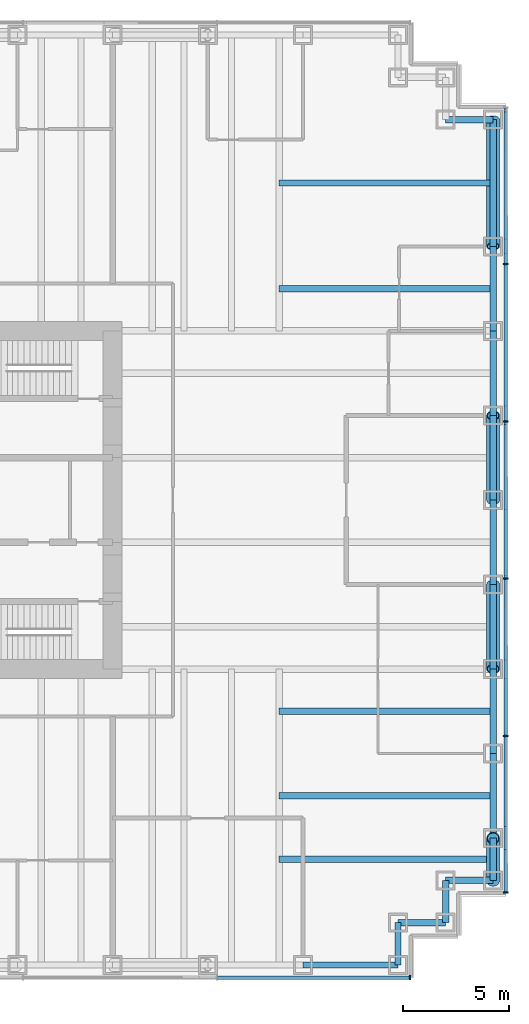
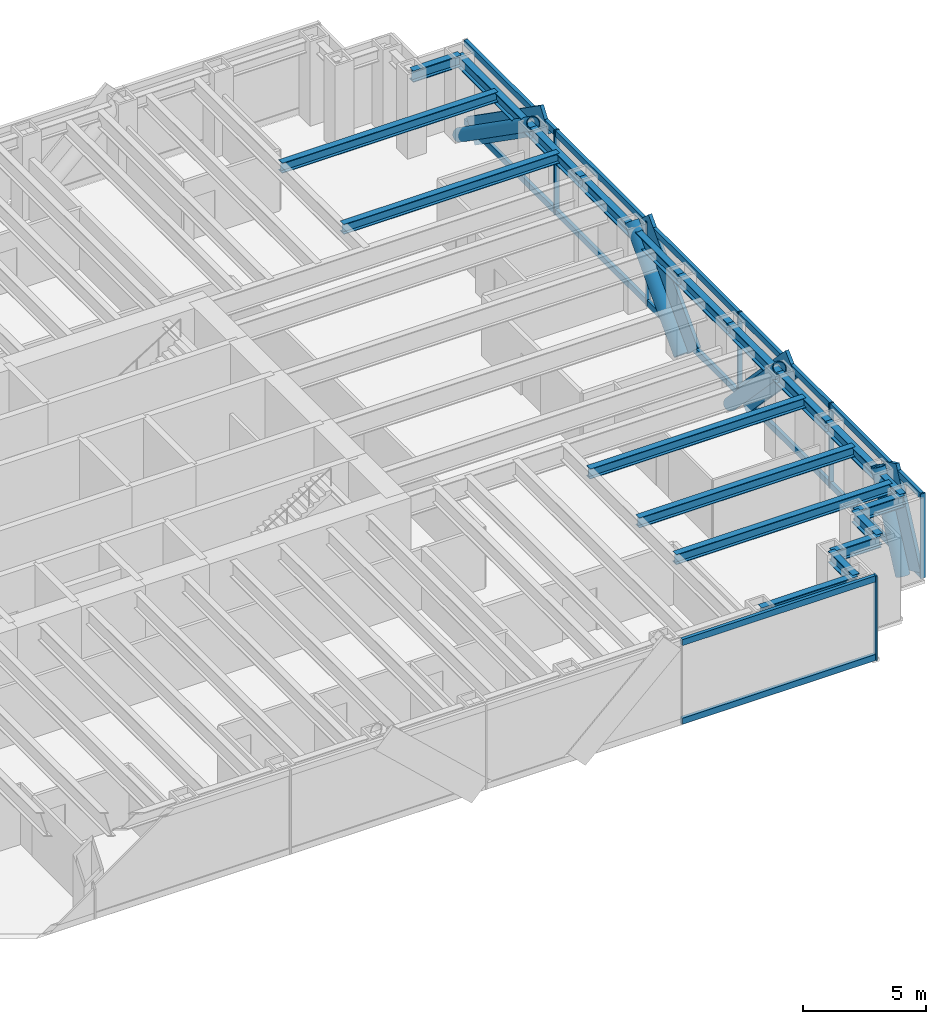
# One storey, part 8 of 15: 26 members, 20 beams, 2 elements without a shape of their own.
"""IFC4 building model written with IfcOpenShell, lengths in metres."""

import ifcopenshell
import ifcopenshell.guid

model = None  # the IFC model being written
_history = None  # IfcOwnerHistory: only IFC2X3 demands one
_inside = {}  # id of a spatial element -> (the spatial element, [elements in it])
_under = {}  # id of a project, library or spatial element -> (it, [spatial elements below it])
_declared = {}  # id of a project -> (the project, [libraries it declares])
_typed = {}  # id of a type object -> (the type object, [elements of that type])
_made_of = {}  # id of a material, layer set ... -> (it, [elements and type objects made of it])


def new_model(schema):
    """Start an empty IFC model of exactly this schema.

    Asked for "IFC4X3", IfcOpenShell would pick the latest addendum, in which some entities
    have other attributes; the version numbers below select the first issue.
    IFC2X3 requires an IfcOwnerHistory on every rooted entity: one is made here for all.
    """
    global model, _history
    if schema == "IFC4X3":
        model = ifcopenshell.file(schema_version=(4, 3, 0, 0))
    else:
        model = ifcopenshell.file(schema=schema)
    _inside.clear()
    _under.clear()
    _declared.clear()
    _typed.clear()
    _made_of.clear()
    _history = None
    if model.schema == "IFC2X3":
        org = make("IfcOrganization", Name="unknown")
        user = make(
            "IfcPersonAndOrganization",
            ThePerson=make("IfcPerson", FamilyName="unknown"),
            TheOrganization=org,
        )
        app = make(
            "IfcApplication",
            ApplicationDeveloper=org,
            Version="unknown",
            ApplicationFullName="unknown",
            ApplicationIdentifier="unknown",
        )
        _history = make(
            "IfcOwnerHistory",
            OwningUser=user,
            OwningApplication=app,
            ChangeAction="ADDED",
            CreationDate=0,
        )
    return model


def make(cls, **values):
    """One entity of the class cls with the attributes given. An attribute that is None is left unset."""
    return model.create_entity(
        cls, **{name: value for name, value in values.items() if value is not None}
    )


def rooted(cls, **values):
    """An entity with a GlobalId (a new one), such as an element, a storey or a relation."""
    return make(cls, GlobalId=ifcopenshell.guid.new(), OwnerHistory=_history, **values)


def si_unit(unit_type, name, prefix=None):
    """IfcSIUnit, for example si_unit("LENGTHUNIT", "METRE", prefix="MILLI")."""
    return make("IfcSIUnit", UnitType=unit_type, Prefix=prefix, Name=name)


def assignment(units):
    """IfcUnitAssignment: the units of a project."""
    return None if units is None else make("IfcUnitAssignment", Units=units)


def point(xyz):
    """IfcCartesianPoint."""
    return None if xyz is None else make("IfcCartesianPoint", Coordinates=xyz)


def direction(xyz):
    """IfcDirection."""
    return None if xyz is None else make("IfcDirection", DirectionRatios=xyz)


def frame(location, z_axis=None, x_axis=None):
    """IfcAxis2Placement3D, a coordinate frame: its origin and axes. An axis left out is left unset."""
    return make(
        "IfcAxis2Placement3D",
        Location=point(location),
        Axis=direction(z_axis),
        RefDirection=direction(x_axis),
    )


def frame_2d(location, x_axis=None):
    """IfcAxis2Placement2D, a coordinate frame in the plane: its origin and x axis."""
    return make(
        "IfcAxis2Placement2D", Location=point(location), RefDirection=direction(x_axis)
    )


def origin():
    """The frame at (0, 0, 0) with its axes left unset."""
    return frame((0.0, 0.0, 0.0))


def origin_2d():
    """The frame at (0, 0) in the plane with its x axis left unset."""
    return frame_2d((0.0, 0.0))


def place(relative_to, where):
    """IfcLocalPlacement: puts the frame where relative to a parent placement (None: the world)."""
    return make(
        "IfcLocalPlacement", PlacementRelTo=relative_to, RelativePlacement=where
    )


def context(
    kind, dimensions, precision=None, world=None, true_north=None, identifier=None
):
    """IfcGeometricRepresentationContext, for example the 3D "Model" context."""
    return make(
        "IfcGeometricRepresentationContext",
        ContextIdentifier=identifier,
        ContextType=kind,
        CoordinateSpaceDimension=dimensions,
        Precision=precision,
        WorldCoordinateSystem=world,
        TrueNorth=true_north,
    )


def subcontext(parent, identifier, kind, view, scale=None):
    """IfcGeometricRepresentationSubContext, for example "Body" below "Model"."""
    return make(
        "IfcGeometricRepresentationSubContext",
        ContextIdentifier=identifier,
        ContextType=kind,
        ParentContext=parent,
        TargetScale=scale,
        TargetView=view,
    )


def project(units=None, contexts=None):
    """IfcProject with its units and contexts."""
    return rooted(
        "IfcProject",
        Name="project",
        RepresentationContexts=contexts,
        UnitsInContext=assignment(units),
    )


def spatial(cls, under=None, at=None, **own):
    """A site, building, storey or space (cls), placed at a placement, below another one or the project."""
    s = rooted(cls, ObjectPlacement=at, **own)
    if under is not None:
        _under.setdefault(under.id(), (under, []))[1].append(s)
    return s


def profile(cls, at=None, kind="AREA", **sizes):
    """A parametric profile (cls). Its sizes go by their IFC names, for example OverallWidth=200.0."""
    return make(cls, ProfileType=kind, Position=at, **sizes)


def rectangle(**sizes):
    """IfcRectangleProfileDef."""
    return profile("IfcRectangleProfileDef", **sizes)


def hollow_circle(**sizes):
    """IfcCircleHollowProfileDef."""
    return profile("IfcCircleHollowProfileDef", **sizes)


def i_section(**sizes):
    """IfcIShapeProfileDef."""
    return profile("IfcIShapeProfileDef", **sizes)


def extrude(swept, where, along, depth):
    """IfcExtrudedAreaSolid: the profile swept, set in the frame where, extruded along a direction by depth."""
    return make(
        "IfcExtrudedAreaSolid",
        SweptArea=swept,
        Position=where,
        ExtrudedDirection=direction(along),
        Depth=depth,
    )


def shape(context_of_items, identifier, shape_type, items):
    """IfcShapeRepresentation: the items that make up one representation, for example the "Body"."""
    return make(
        "IfcShapeRepresentation",
        ContextOfItems=context_of_items,
        RepresentationIdentifier=identifier,
        RepresentationType=shape_type,
        Items=items,
    )


def material(Name=None, Category=None):
    """IfcMaterial."""
    return make("IfcMaterial", Name=Name, Category=Category)


def material_profile(
    of_material, cross_section, Name=None, Category=None, Priority=None
):
    """IfcMaterialProfile: a cross section and its material."""
    return make(
        "IfcMaterialProfile",
        Name=Name,
        Material=of_material,
        Profile=cross_section,
        Priority=Priority,
        Category=Category,
    )


def profile_set(profiles, Name=None, composite=None):
    """IfcMaterialProfileSet."""
    return make(
        "IfcMaterialProfileSet",
        Name=Name,
        MaterialProfiles=profiles,
        CompositeProfile=composite,
    )


def made_of(thing, what):
    """Note that an element or type object is made of a material, layer set ...; save() writes the relation."""
    if what is not None:
        _made_of.setdefault(what.id(), (what, []))[1].append(thing)
    return thing


def type_object(cls, material=None, **own):
    """A type object (cls), such as IfcWallType, which elements share."""
    return made_of(rooted(cls, **own), material)


def element(
    cls,
    number,
    at=None,
    inside=None,
    cuts=None,
    type_object=None,
    material=None,
    context=None,
    identifier="Body",
    shape_type=None,
    held_by="IfcProductDefinitionShape",
    body=None,
    shapes=None,
    **own,
):
    """One element of the class cls, such as IfcWall. Its Tag is "e" and its number.

    at: its placement. inside: the storey or other place that contains it. cuts: it is an
    opening in that element (IfcRelVoidsElement). A single representation is given by context,
    identifier, shape_type and body (its items); several are given by shapes. held_by: the class
    of the entity that holds the representations. save() writes the other relations.
    """
    e = rooted(cls, Tag="e%d" % number, ObjectPlacement=at, **own)
    if body is not None:
        shapes = [shape(context, identifier, shape_type, body)]
    if shapes is not None:
        e.Representation = make(held_by, Representations=shapes)
    if inside is not None:
        _inside.setdefault(inside.id(), (inside, []))[1].append(e)
    if cuts is not None:
        rooted(
            "IfcRelVoidsElement", RelatingBuildingElement=cuts, RelatedOpeningElement=e
        )
    if type_object is not None:
        _typed.setdefault(type_object.id(), (type_object, []))[1].append(e)
    return made_of(e, material)


def aggregate(whole, parts):
    """IfcRelAggregates: a whole, such as a stair, and the parts it consists of."""
    return rooted("IfcRelAggregates", RelatingObject=whole, RelatedObjects=parts)


def save(model, path):
    """Write the relations noted so far, then the file.

    IfcRelAggregates (storeys below a building ...), IfcRelContainedInSpatialStructure (elements
    in a storey), IfcRelDefinesByType, IfcRelAssociatesMaterial and IfcRelDeclares: one each for
    every whole, place, type object, material and project.
    """
    for whole, parts in _under.values():
        aggregate(whole, parts)
    for where, things in _inside.values():
        rooted(
            "IfcRelContainedInSpatialStructure",
            RelatedElements=things,
            RelatingStructure=where,
        )
    for kind, things in _typed.values():
        rooted("IfcRelDefinesByType", RelatedObjects=things, RelatingType=kind)
    for what, things in _made_of.values():
        rooted("IfcRelAssociatesMaterial", RelatedObjects=things, RelatingMaterial=what)
    for by, libraries in _declared.values():
        rooted("IfcRelDeclares", RelatingContext=by, RelatedDefinitions=libraries)
    model.write(path)


model = new_model("IFC4")

# Units and contexts
model_context = context("Model", 3, precision=1e-05, world=origin(), true_north=direction((0.0, 1.0)))
body_context = subcontext(model_context, "Body", "Model", "MODEL_VIEW")
ifc_project = project(units=[si_unit("LENGTHUNIT", "METRE"), si_unit("AREAUNIT", "SQUARE_METRE"), si_unit("VOLUMEUNIT", "CUBIC_METRE"), si_unit("PLANEANGLEUNIT", "RADIAN"), si_unit("MASSUNIT", "GRAM", prefix="KILO")], contexts=[model_context])

# Site, building, storey
site_placement = place(None, origin())
site = spatial("IfcSite", under=ifc_project, at=site_placement, CompositionType="ELEMENT")
building_placement = place(site_placement, origin())
building = spatial("IfcBuilding", under=site, at=building_placement, Name="Rheinbord Bourse Tower", CompositionType="ELEMENT")
storey_placement = place(building_placement, frame((0.0, 0.0, 142.5)))
storey = spatial("IfcBuildingStorey", under=building, at=storey_placement, Name="L31", CompositionType="ELEMENT", Elevation=142.5)

# Curtain wall, members
ifc_material_1 = material(Name="Dark glass and black aluminium", Category="aluminium")
curtain_wall_type = type_object("IfcCurtainWallType", Name="CW2 DARK GLASS CURTAIN WALL", PredefinedType="USERDEFINED", material=ifc_material_1)
curtain_wall_1_placement = place(storey_placement, origin())
curtain_wall_1 = element("IfcCurtainWall", 1, at=curtain_wall_1_placement, inside=storey, type_object=curtain_wall_type, Name="Curtain wall CW2 E L31", ObjectType="UNITISED CURTAIN WALL", PredefinedType="USERDEFINED")
ifc_material_2 = material(Name="Black anodised aluminium", Category="aluminium")
ifc_material_profile_1 = material_profile(ifc_material_2, rectangle(XDim=0.159912109375, YDim=1.2099609375, at=origin_2d()), Name="CW2 DIAGONAL MULLION 1210x160")
ifc_profile_set_1 = profile_set([ifc_material_profile_1], Name="Black anodised aluminium")
member_type_1 = type_object("IfcMemberType", Name="CW2 BLACK DIAGONAL MULLION", PredefinedType="USERDEFINED", material=ifc_profile_set_1)
member_1_placement = place(storey_placement, frame((72.60009765625, 20.0, 0.0), z_axis=(0.0, -0.689659376744, 0.724133926887), x_axis=(1.0, 0.0, 0.0)))
member_1 = element("IfcMember", 2, at=member_1_placement, type_object=member_type_1, Name="CW2 diagonal mullion a", ObjectType="DIAGONAL MULLION", PredefinedType="USERDEFINED", context=body_context, shape_type="SweptSolid", body=[
    extrude(rectangle(XDim=0.159912109375, YDim=1.2099609375, at=origin_2d()), origin(), (0.0, 0.0, 1.0), 5.800048828125),
])
member_2_placement = place(storey_placement, frame((72.60009765625, 24.0, 0.0), z_axis=(0.0, 0.689659376744, 0.724133926887), x_axis=(-1.0, 0.0, 0.0)))
member_2 = element("IfcMember", 3, at=member_2_placement, type_object=member_type_1, Name="CW2 diagonal mullion b", ObjectType="DIAGONAL MULLION", PredefinedType="USERDEFINED", context=body_context, shape_type="SweptSolid", body=[
    extrude(rectangle(XDim=0.159912109375, YDim=1.2099609375, at=origin_2d()), origin(), (0.0, 0.0, 1.0), 5.800048828125),
])
member_3_placement = place(storey_placement, frame((72.60009765625, 6.0, 0.0), z_axis=(0.0, 0.429937654825, 0.902858578607), x_axis=(-1.0, 0.0, 0.0)))
member_3 = element("IfcMember", 4, at=member_3_placement, type_object=member_type_1, Name="CW2 diagonal mullion c", ObjectType="DIAGONAL MULLION", PredefinedType="USERDEFINED", context=body_context, shape_type="SweptSolid", body=[
    extrude(rectangle(XDim=0.159912109375, YDim=1.2099609375, at=origin_2d()), origin(), (0.0, 0.0, 1.0), 4.65185546875),
])
member_4_placement = place(storey_placement, frame((72.60009765625, 42.0, 0.0), z_axis=(0.0, -0.819235052632, 0.57345786989), x_axis=(1.0, 0.0, 0.0)))
member_4 = element("IfcMember", 5, at=member_4_placement, type_object=member_type_1, Name="CW2 diagonal mullion d", ObjectType="DIAGONAL MULLION", PredefinedType="USERDEFINED", context=body_context, shape_type="SweptSolid", body=[
    extrude(rectangle(XDim=0.159912109375, YDim=1.2099609375, at=origin_2d()), origin(), (0.0, 0.0, 1.0), 7.323974609375),
])

# Curtain wall, member
curtain_wall_2_placement = place(storey_placement, origin())
curtain_wall_2 = element("IfcCurtainWall", 6, at=curtain_wall_2_placement, inside=storey, type_object=curtain_wall_type, Name="Curtain wall CW2 S L31", ObjectType="UNITISED CURTAIN WALL", PredefinedType="USERDEFINED")
ifc_material_3 = material(Name="Black anodised aluminium", Category="aluminium")
ifc_material_profile_2 = material_profile(ifc_material_3, rectangle(XDim=0.219970703125, YDim=0.070068359375, at=origin_2d()), Name="CW2 MULLION 70x220")
ifc_profile_set_2 = profile_set([ifc_material_profile_2], Name="Black anodised aluminium")
member_type_2 = type_object("IfcMemberType", Name="CW2 BLACK MULLION", PredefinedType="MULLION", material=ifc_profile_set_2)
member_5_placement = place(storey_placement, frame((68.06494140625, 1.39990234375, 0.0), z_axis=(0.0, 0.0, 1.0), x_axis=(0.0, 1.0, 0.0)))
member_5 = element("IfcMember", 7, at=member_5_placement, type_object=member_type_2, Name="CW2 mullion 8", PredefinedType="MULLION", context=body_context, shape_type="SweptSolid", body=[
    extrude(rectangle(XDim=0.219970703125, YDim=0.070068359375, at=origin_2d()), origin(), (0.0, 0.0, 1.0), 4.199951171875),
])

# Member
member_6_placement = place(storey_placement, frame((72.60009765625, 5.43505859375, 0.0), z_axis=(0.0, 0.0, 1.0), x_axis=(-1.0, 0.0, 0.0)))
member_6 = element("IfcMember", 8, at=member_6_placement, type_object=member_type_2, Name="CW2 mullion 1", PredefinedType="MULLION", context=body_context, shape_type="SweptSolid", body=[
    extrude(rectangle(XDim=0.219970703125, YDim=0.070068359375, at=origin_2d()), origin(), (0.0, 0.0, 1.0), 4.199951171875),
])

member_7_placement = place(storey_placement, frame((72.60009765625, 12.840087890625, 0.0), z_axis=(0.0, 0.0, 1.0), x_axis=(-1.0, 0.0, 0.0)))
member_7 = element("IfcMember", 9, at=member_7_placement, type_object=member_type_2, Name="CW2 mullion 2", PredefinedType="MULLION", context=body_context, shape_type="SweptSolid", body=[
    extrude(rectangle(XDim=0.219970703125, YDim=0.070068359375, at=origin_2d()), origin(), (0.0, 0.0, 1.0), 4.199951171875),
])

member_8_placement = place(storey_placement, frame((72.60009765625, 20.280029296875, 0.0), z_axis=(0.0, 0.0, 1.0), x_axis=(-1.0, 0.0, 0.0)))
member_8 = element("IfcMember", 10, at=member_8_placement, type_object=member_type_2, Name="CW2 mullion 3", PredefinedType="MULLION", context=body_context, shape_type="SweptSolid", body=[
    extrude(rectangle(XDim=0.219970703125, YDim=0.070068359375, at=origin_2d()), origin(), (0.0, 0.0, 1.0), 4.199951171875),
])

member_9_placement = place(storey_placement, frame((72.60009765625, 27.719970703125, 0.0), z_axis=(0.0, 0.0, 1.0), x_axis=(-1.0, 0.0, 0.0)))
member_9 = element("IfcMember", 11, at=member_9_placement, type_object=member_type_2, Name="CW2 mullion 4", PredefinedType="MULLION", context=body_context, shape_type="SweptSolid", body=[
    extrude(rectangle(XDim=0.219970703125, YDim=0.070068359375, at=origin_2d()), origin(), (0.0, 0.0, 1.0), 4.199951171875),
])

member_10_placement = place(storey_placement, frame((72.60009765625, 35.159912109375, 0.0), z_axis=(0.0, 0.0, 1.0), x_axis=(-1.0, 0.0, 0.0)))
member_10 = element("IfcMember", 12, at=member_10_placement, type_object=member_type_2, Name="CW2 mullion 5", PredefinedType="MULLION", context=body_context, shape_type="SweptSolid", body=[
    extrude(rectangle(XDim=0.219970703125, YDim=0.070068359375, at=origin_2d()), origin(), (0.0, 0.0, 1.0), 4.199951171875),
])

ifc_material_4 = material(Name="Black anodised aluminium", Category="aluminium")
ifc_material_profile_3 = material_profile(ifc_material_4, rectangle(XDim=0.159912109375, YDim=0.300048828125, at=origin_2d()), Name="CW2 TRANSOM 300x160")
ifc_profile_set_3 = profile_set([ifc_material_profile_3], Name="Black anodised aluminium")
member_type_3 = type_object("IfcMemberType", Name="CW2 BLACK TRANSOM", PredefinedType="USERDEFINED", material=ifc_profile_set_3)
member_11_placement = place(storey_placement, frame((58.963623046875, 1.39990234375, 0.14990234375), z_axis=(1.0, 0.0, 0.0), x_axis=(0.0, 1.0, 0.0)))
member_11 = element("IfcMember", 13, at=member_11_placement, type_object=member_type_3, Name="CW2 transom 7.1", ObjectType="TRANSOM", PredefinedType="USERDEFINED", context=body_context, shape_type="SweptSolid", body=[
    extrude(rectangle(XDim=0.159912109375, YDim=0.300048828125, at=origin_2d()), origin(), (0.0, 0.0, 1.0), 9.06640625),
])

member_12_placement = place(storey_placement, frame((58.963623046875, 1.39990234375, 4.050048828125), z_axis=(1.0, 0.0, 0.0), x_axis=(0.0, 1.0, 0.0)))
member_12 = element("IfcMember", 14, at=member_12_placement, type_object=member_type_3, Name="CW2 transom 7.2", ObjectType="TRANSOM", PredefinedType="USERDEFINED", context=body_context, shape_type="SweptSolid", body=[
    extrude(rectangle(XDim=0.159912109375, YDim=0.300048828125, at=origin_2d()), origin(), (0.0, 0.0, 1.0), 9.06640625),
])

aggregate(curtain_wall_2, [member_5, member_11, member_12])

member_13_placement = place(storey_placement, frame((72.60009765625, 5.469970703125, 0.14990234375), z_axis=(0.0, 1.0, 0.0), x_axis=(-1.0, 0.0, 0.0)))
member_13 = element("IfcMember", 15, at=member_13_placement, type_object=member_type_3, Name="CW2 transom 1.1", ObjectType="TRANSOM", PredefinedType="USERDEFINED", context=body_context, shape_type="SweptSolid", body=[
    extrude(rectangle(XDim=0.159912109375, YDim=0.300048828125, at=origin_2d()), origin(), (0.0, 0.0, 1.0), 7.3349609375),
])

member_14_placement = place(storey_placement, frame((72.60009765625, 5.469970703125, 4.050048828125), z_axis=(0.0, 1.0, 0.0), x_axis=(-1.0, 0.0, 0.0)))
member_14 = element("IfcMember", 16, at=member_14_placement, type_object=member_type_3, Name="CW2 transom 1.2", ObjectType="TRANSOM", PredefinedType="USERDEFINED", context=body_context, shape_type="SweptSolid", body=[
    extrude(rectangle(XDim=0.159912109375, YDim=0.300048828125, at=origin_2d()), origin(), (0.0, 0.0, 1.0), 7.3349609375),
])

member_15_placement = place(storey_placement, frame((72.60009765625, 12.875, 0.14990234375), z_axis=(0.0, 1.0, 0.0), x_axis=(-1.0, 0.0, 0.0)))
member_15 = element("IfcMember", 17, at=member_15_placement, type_object=member_type_3, Name="CW2 transom 2.1", ObjectType="TRANSOM", PredefinedType="USERDEFINED", context=body_context, shape_type="SweptSolid", body=[
    extrude(rectangle(XDim=0.159912109375, YDim=0.300048828125, at=origin_2d()), origin(), (0.0, 0.0, 1.0), 7.3701171875),
])

member_16_placement = place(storey_placement, frame((72.60009765625, 12.875, 4.050048828125), z_axis=(0.0, 1.0, 0.0), x_axis=(-1.0, 0.0, 0.0)))
member_16 = element("IfcMember", 18, at=member_16_placement, type_object=member_type_3, Name="CW2 transom 2.2", ObjectType="TRANSOM", PredefinedType="USERDEFINED", context=body_context, shape_type="SweptSolid", body=[
    extrude(rectangle(XDim=0.159912109375, YDim=0.300048828125, at=origin_2d()), origin(), (0.0, 0.0, 1.0), 7.3701171875),
])

member_17_placement = place(storey_placement, frame((72.60009765625, 20.31494140625, 0.14990234375), z_axis=(0.0, 1.0, 0.0), x_axis=(-1.0, 0.0, 0.0)))
member_17 = element("IfcMember", 19, at=member_17_placement, type_object=member_type_3, Name="CW2 transom 3.1", ObjectType="TRANSOM", PredefinedType="USERDEFINED", context=body_context, shape_type="SweptSolid", body=[
    extrude(rectangle(XDim=0.159912109375, YDim=0.300048828125, at=origin_2d()), origin(), (0.0, 0.0, 1.0), 7.3701171875),
])

member_18_placement = place(storey_placement, frame((72.60009765625, 20.31494140625, 4.050048828125), z_axis=(0.0, 1.0, 0.0), x_axis=(-1.0, 0.0, 0.0)))
member_18 = element("IfcMember", 20, at=member_18_placement, type_object=member_type_3, Name="CW2 transom 3.2", ObjectType="TRANSOM", PredefinedType="USERDEFINED", context=body_context, shape_type="SweptSolid", body=[
    extrude(rectangle(XDim=0.159912109375, YDim=0.300048828125, at=origin_2d()), origin(), (0.0, 0.0, 1.0), 7.3701171875),
])

member_19_placement = place(storey_placement, frame((72.60009765625, 27.7548828125, 0.14990234375), z_axis=(0.0, 1.0, 0.0), x_axis=(-1.0, 0.0, 0.0)))
member_19 = element("IfcMember", 21, at=member_19_placement, type_object=member_type_3, Name="CW2 transom 4.1", ObjectType="TRANSOM", PredefinedType="USERDEFINED", context=body_context, shape_type="SweptSolid", body=[
    extrude(rectangle(XDim=0.159912109375, YDim=0.300048828125, at=origin_2d()), origin(), (0.0, 0.0, 1.0), 7.3701171875),
])

member_20_placement = place(storey_placement, frame((72.60009765625, 27.7548828125, 4.050048828125), z_axis=(0.0, 1.0, 0.0), x_axis=(-1.0, 0.0, 0.0)))
member_20 = element("IfcMember", 22, at=member_20_placement, type_object=member_type_3, Name="CW2 transom 4.2", ObjectType="TRANSOM", PredefinedType="USERDEFINED", context=body_context, shape_type="SweptSolid", body=[
    extrude(rectangle(XDim=0.159912109375, YDim=0.300048828125, at=origin_2d()), origin(), (0.0, 0.0, 1.0), 7.3701171875),
])

member_21_placement = place(storey_placement, frame((72.60009765625, 35.195068359375, 0.14990234375), z_axis=(0.0, 1.0, 0.0), x_axis=(-1.0, 0.0, 0.0)))
member_21 = element("IfcMember", 23, at=member_21_placement, type_object=member_type_3, Name="CW2 transom 5.1", ObjectType="TRANSOM", PredefinedType="USERDEFINED", context=body_context, shape_type="SweptSolid", body=[
    extrude(rectangle(XDim=0.159912109375, YDim=0.300048828125, at=origin_2d()), origin(), (0.0, 0.0, 1.0), 7.3349609375),
])

member_22_placement = place(storey_placement, frame((72.60009765625, 35.195068359375, 4.050048828125), z_axis=(0.0, 1.0, 0.0), x_axis=(-1.0, 0.0, 0.0)))
member_22 = element("IfcMember", 24, at=member_22_placement, type_object=member_type_3, Name="CW2 transom 5.2", ObjectType="TRANSOM", PredefinedType="USERDEFINED", context=body_context, shape_type="SweptSolid", body=[
    extrude(rectangle(XDim=0.159912109375, YDim=0.300048828125, at=origin_2d()), origin(), (0.0, 0.0, 1.0), 7.3349609375),
])

aggregate(curtain_wall_1, [member_6, member_7, member_8, member_9, member_10, member_13, member_14, member_15, member_16, member_17, member_18, member_19, member_20, member_21, member_22, member_1, member_2, member_3, member_4])

# Members
ifc_material_5 = material(Name="Steel S460", Category="steel")
ifc_material_profile_4 = material_profile(ifc_material_5, hollow_circle(Radius=0.304931640625, WallThickness=0.0400390625, at=origin_2d()), Name="CHS 610x40")
ifc_profile_set_4 = profile_set([ifc_material_profile_4], Name="Steel S460")
member_type_4 = type_object("IfcMemberType", Name="MEGABRACE CHS 610x40", PredefinedType="BRACE", material=ifc_profile_set_4)
for number, where, z_axis, x_axis, name in (
    (25, (72.0, 20.0, 0.0), (0.0, -0.689659376744, 0.724133926887), (1.0, 0.0, 0.0), "Megabrace E face line a L31"),
    (26, (72.0, 24.0, 0.0), (0.0, 0.689659376744, 0.724133926887), (-1.0, 0.0, 0.0), "Megabrace E face line b L31"),
):
    element("IfcMember", number, at=place(storey_placement, frame(where, z_axis=z_axis, x_axis=x_axis)), inside=storey, type_object=member_type_4, Name=name, PredefinedType="BRACE", context=body_context, shape_type="SweptSolid", body=[
        extrude(hollow_circle(Radius=0.304931640625, WallThickness=0.0400390625, at=origin_2d()), origin(), (0.0, 0.0, 1.0), 5.800048828125),
    ])
member_23_placement = place(storey_placement, frame((72.0, 6.0, 0.0), z_axis=(0.0, 0.429937654825, 0.902858578607), x_axis=(-1.0, 0.0, 0.0)))
element("IfcMember", 27, at=member_23_placement, inside=storey, type_object=member_type_4, Name="Megabrace E face line c L31", PredefinedType="BRACE", context=body_context, shape_type="SweptSolid", body=[
    extrude(hollow_circle(Radius=0.304931640625, WallThickness=0.0400390625, at=origin_2d()), origin(), (0.0, 0.0, 1.0), 4.65185546875),
])
member_24_placement = place(storey_placement, frame((72.0, 42.0, 0.0), z_axis=(0.0, -0.819235052632, 0.57345786989), x_axis=(1.0, 0.0, 0.0)))
element("IfcMember", 28, at=member_24_placement, inside=storey, type_object=member_type_4, Name="Megabrace E face line d L31", PredefinedType="BRACE", context=body_context, shape_type="SweptSolid", body=[
    extrude(hollow_circle(Radius=0.304931640625, WallThickness=0.0400390625, at=origin_2d()), origin(), (0.0, 0.0, 1.0), 7.323974609375),
])

# Beams
ifc_material_6 = material(Name="Steel S460", Category="steel")
ifc_material_profile_5 = material_profile(ifc_material_6, i_section(OverallWidth=0.305908203125, OverallDepth=0.572021484375, WebThickness=0.02099609375, FlangeThickness=0.0400390625, at=origin_2d()), Name="HEM 550")
ifc_profile_set_5 = profile_set([ifc_material_profile_5], Name="Steel S460")
beam_type_1 = type_object("IfcBeamType", Name="SPANDREL HEM 550", PredefinedType="SPANDREL", material=ifc_profile_set_5)
beam_1_placement = place(storey_placement, frame((63.0, 2.0, 3.75390625), z_axis=(1.0, 0.0, 0.0), x_axis=(0.0, 1.0, 0.0)))
element("IfcBeam", 29, at=beam_1_placement, inside=storey, type_object=beam_type_1, Name="Spandrel S-63-SE-E under L32", PredefinedType="SPANDREL", context=body_context, shape_type="SweptSolid", body=[
    extrude(i_section(OverallWidth=0.305908203125, OverallDepth=0.572021484375, WebThickness=0.02099609375, FlangeThickness=0.0400390625, at=origin_2d()), origin(), (0.0, 0.0, 1.0), 4.5),
])
beam_2_placement = place(storey_placement, frame((67.5, 2.0, 3.75390625), z_axis=(0.0, 1.0, 0.0), x_axis=(-1.0, 0.0, 0.0)))
element("IfcBeam", 30, at=beam_2_placement, inside=storey, type_object=beam_type_1, Name="Spandrel SE-E-SE-D under L32", PredefinedType="SPANDREL", context=body_context, shape_type="SweptSolid", body=[
    extrude(i_section(OverallWidth=0.305908203125, OverallDepth=0.572021484375, WebThickness=0.02099609375, FlangeThickness=0.0400390625, at=origin_2d()), origin(), (0.0, 0.0, 1.0), 2.0),
])
beam_3_placement = place(storey_placement, frame((67.5, 4.0, 3.75390625), z_axis=(1.0, 0.0, 0.0), x_axis=(0.0, 1.0, 0.0)))
element("IfcBeam", 31, at=beam_3_placement, inside=storey, type_object=beam_type_1, Name="Spandrel SE-D-SE-C under L32", PredefinedType="SPANDREL", context=body_context, shape_type="SweptSolid", body=[
    extrude(i_section(OverallWidth=0.305908203125, OverallDepth=0.572021484375, WebThickness=0.02099609375, FlangeThickness=0.0400390625, at=origin_2d()), origin(), (0.0, 0.0, 1.0), 2.25),
])
beam_4_placement = place(storey_placement, frame((69.75, 4.0, 3.75390625), z_axis=(0.0, 1.0, 0.0), x_axis=(-1.0, 0.0, 0.0)))
element("IfcBeam", 32, at=beam_4_placement, inside=storey, type_object=beam_type_1, Name="Spandrel SE-C-SE-B under L32", PredefinedType="SPANDREL", context=body_context, shape_type="SweptSolid", body=[
    extrude(i_section(OverallWidth=0.305908203125, OverallDepth=0.572021484375, WebThickness=0.02099609375, FlangeThickness=0.0400390625, at=origin_2d()), origin(), (0.0, 0.0, 1.0), 2.0),
])
beam_5_placement = place(storey_placement, frame((69.75, 6.0, 3.75390625), z_axis=(1.0, 0.0, 0.0), x_axis=(0.0, 1.0, 0.0)))
element("IfcBeam", 33, at=beam_5_placement, inside=storey, type_object=beam_type_1, Name="Spandrel SE-B-SE-A under L32", PredefinedType="SPANDREL", context=body_context, shape_type="SweptSolid", body=[
    extrude(i_section(OverallWidth=0.305908203125, OverallDepth=0.572021484375, WebThickness=0.02099609375, FlangeThickness=0.0400390625, at=origin_2d()), origin(), (0.0, 0.0, 1.0), 2.25),
])
beam_6_placement = place(storey_placement, frame((72.0, 6.0, 3.75390625), z_axis=(0.0, 1.0, 0.0), x_axis=(-1.0, 0.0, 0.0)))
element("IfcBeam", 34, at=beam_6_placement, inside=storey, type_object=beam_type_1, Name="Spandrel SE-A-E-8 under L32", PredefinedType="SPANDREL", context=body_context, shape_type="SweptSolid", body=[
    extrude(i_section(OverallWidth=0.305908203125, OverallDepth=0.572021484375, WebThickness=0.02099609375, FlangeThickness=0.0400390625, at=origin_2d()), origin(), (0.0, 0.0, 1.0), 2.0),
])
for number, where, z_axis, x_axis, name in (
    (35, (72.0, 8.0, 3.75390625), (0.0, 1.0, 0.0), (-1.0, 0.0, 0.0), "Spandrel E-8-E-12 under L32"),
    (36, (72.0, 12.0, 3.75390625), (0.0, 1.0, 0.0), (-1.0, 0.0, 0.0), "Spandrel E-12-E-16 under L32"),
    (37, (72.0, 16.0, 3.75390625), (0.0, 1.0, 0.0), (-1.0, 0.0, 0.0), "Spandrel E-16-E-20 under L32"),
    (38, (72.0, 20.0, 3.75390625), (0.0, 1.0, 0.0), (-1.0, 0.0, 0.0), "Spandrel E-20-E-24 under L32"),
    (39, (72.0, 24.0, 3.75390625), (0.0, 1.0, 0.0), (-1.0, 0.0, 0.0), "Spandrel E-24-E-28 under L32"),
    (40, (72.0, 28.0, 3.75390625), (0.0, 1.0, 0.0), (-1.0, 0.0, 0.0), "Spandrel E-28-E-32 under L32"),
    (41, (72.0, 32.0, 3.75390625), (0.0, 1.0, 0.0), (-1.0, 0.0, 0.0), "Spandrel E-32-E-36 under L32"),
):
    element("IfcBeam", number, at=place(storey_placement, frame(where, z_axis=z_axis, x_axis=x_axis)), inside=storey, type_object=beam_type_1, Name=name, PredefinedType="SPANDREL", context=body_context, shape_type="SweptSolid", body=[
        extrude(i_section(OverallWidth=0.305908203125, OverallDepth=0.572021484375, WebThickness=0.02099609375, FlangeThickness=0.0400390625, at=origin_2d()), origin(), (0.0, 0.0, 1.0), 4.0),
    ])
beam_7_placement = place(storey_placement, frame((72.0, 36.0, 3.75390625), z_axis=(0.0, 1.0, 0.0), x_axis=(-1.0, 0.0, 0.0)))
element("IfcBeam", 42, at=beam_7_placement, inside=storey, type_object=beam_type_1, Name="Spandrel E-36-NE-A under L32", PredefinedType="SPANDREL", context=body_context, shape_type="SweptSolid", body=[
    extrude(i_section(OverallWidth=0.305908203125, OverallDepth=0.572021484375, WebThickness=0.02099609375, FlangeThickness=0.0400390625, at=origin_2d()), origin(), (0.0, 0.0, 1.0), 6.0),
])
beam_8_placement = place(storey_placement, frame((72.0, 42.0, 3.75390625), z_axis=(-1.0, 0.0, 0.0), x_axis=(0.0, -1.0, 0.0)))
element("IfcBeam", 43, at=beam_8_placement, inside=storey, type_object=beam_type_1, Name="Spandrel NE-A-NE-B under L32", PredefinedType="SPANDREL", context=body_context, shape_type="SweptSolid", body=[
    extrude(i_section(OverallWidth=0.305908203125, OverallDepth=0.572021484375, WebThickness=0.02099609375, FlangeThickness=0.0400390625, at=origin_2d()), origin(), (0.0, 0.0, 1.0), 2.25),
])
ifc_material_7 = material(Name="Steel S460", Category="steel")
ifc_material_profile_6 = material_profile(ifc_material_7, i_section(OverallWidth=0.300048828125, OverallDepth=0.5, WebThickness=0.014404296875, FlangeThickness=0.028076171875, at=origin_2d()), Name="HEB 500")
ifc_profile_set_6 = profile_set([ifc_material_profile_6], Name="Steel S460")
beam_type_2 = type_object("IfcBeamType", Name="TIE BEAM HEB 500", PredefinedType="JOIST", material=ifc_profile_set_6)
for number, where, z_axis, x_axis, name in (
    (44, (61.875, 7.0, 3.7900390625), (1.0, 0.0, 0.0), (0.0, 1.0, 0.0), "Tie east 7 L32"),
    (45, (61.875, 10.0, 3.7900390625), (1.0, 0.0, 0.0), (0.0, 1.0, 0.0), "Tie east 10 L32"),
    (46, (61.875, 14.0, 3.7900390625), (1.0, 0.0, 0.0), (0.0, 1.0, 0.0), "Tie east 14 L32"),
    (47, (61.875, 34.0, 3.7900390625), (1.0, 0.0, 0.0), (0.0, 1.0, 0.0), "Tie east 34 L32"),
    (48, (61.875, 39.0, 3.7900390625), (1.0, 0.0, 0.0), (0.0, 1.0, 0.0), "Tie east 39 L32"),
):
    element("IfcBeam", number, at=place(storey_placement, frame(where, z_axis=z_axis, x_axis=x_axis)), inside=storey, type_object=beam_type_2, Name=name, PredefinedType="JOIST", context=body_context, shape_type="SweptSolid", body=[
        extrude(i_section(OverallWidth=0.300048828125, OverallDepth=0.5, WebThickness=0.014404296875, FlangeThickness=0.028076171875, at=origin_2d()), origin(), (0.0, 0.0, 1.0), 10.125),
    ])

save(model, "model.ifc")
